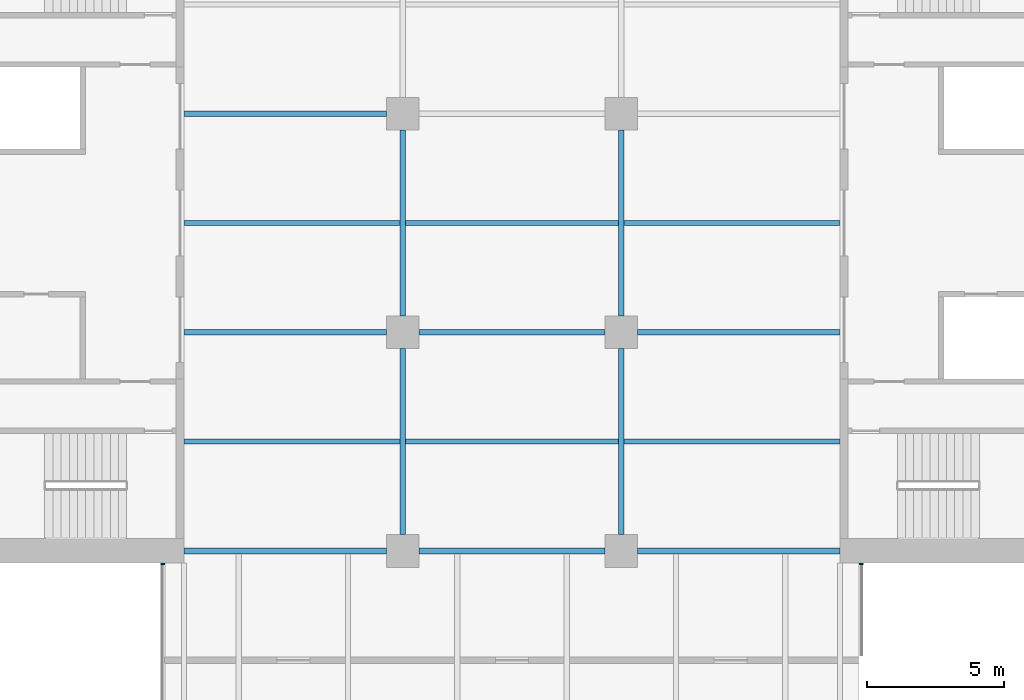
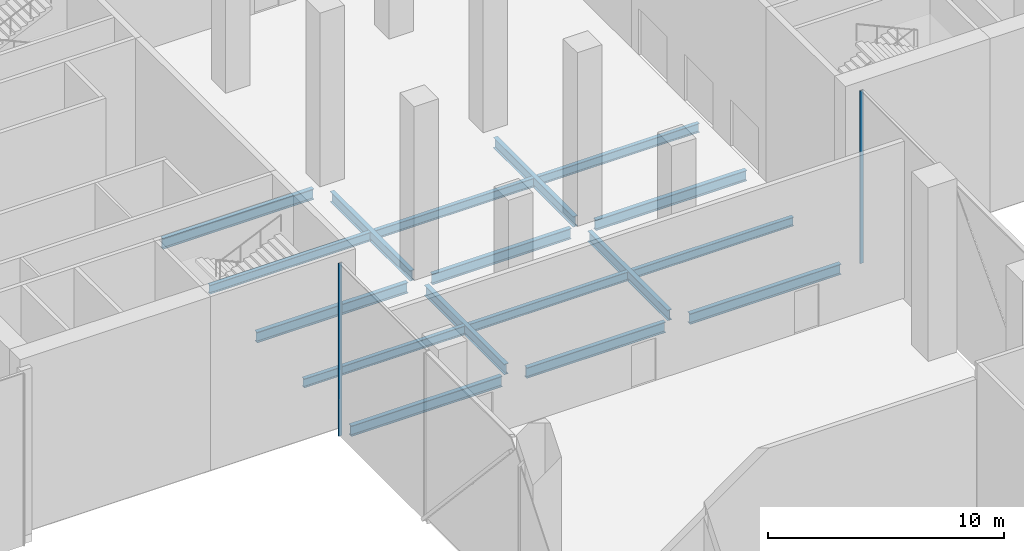
# One storey, part 5 of 26: 17 beams, 2 members, 2 elements without a shape of their own.
"""IFC4 building model written with IfcOpenShell, lengths in metres."""

from ifc_helpers import new_model, si_unit, direction, frame, origin, origin_2d, place, context, subcontext, project, spatial, rectangle, i_section, extrude, material, material_profile, profile_set, type_object, element, aggregate, save


model = new_model("IFC4")

# Units and contexts
model_context = context("Model", 3, precision=1e-05, world=origin(), true_north=direction((0.0, 1.0)))
body_context = subcontext(model_context, "Body", "Model", "MODEL_VIEW")
ifc_project = project(units=[si_unit("LENGTHUNIT", "METRE"), si_unit("AREAUNIT", "SQUARE_METRE"), si_unit("VOLUMEUNIT", "CUBIC_METRE"), si_unit("PLANEANGLEUNIT", "RADIAN"), si_unit("MASSUNIT", "GRAM", prefix="KILO")], contexts=[model_context])

# Site, building, storey
site_placement = place(None, origin())
site = spatial("IfcSite", under=ifc_project, at=site_placement, CompositionType="ELEMENT")
building_placement = place(site_placement, origin())
building = spatial("IfcBuilding", under=site, at=building_placement, Name="Crosswind Convention Tower", CompositionType="ELEMENT")
storey_placement = place(building_placement, frame((0.0, 0.0, 25.0)))
storey = spatial("IfcBuildingStorey", under=building, at=storey_placement, Name="L03", CompositionType="ELEMENT", Elevation=25.0)

# Beams
ifc_material_1 = material(Name="Steel S355", Category="steel")
ifc_material_profile_1 = material_profile(ifc_material_1, i_section(OverallWidth=0.2119140625, OverallDepth=0.544677734375, WebThickness=0.0126953125, FlangeThickness=0.021240234375, FilletRadius=0.0126953125, at=origin_2d()), Name="UB 533x210x122")
ifc_profile_set_1 = profile_set([ifc_material_profile_1], Name="Steel S355")
beam_type_1 = type_object("IfcBeamType", Name="Girder UB 533x210x122", PredefinedType="BEAM", material=ifc_profile_set_1)
for number, where, z_axis, x_axis, name in (
    (1, (121.0, 88.60009765625, -0.67236328125), (0.0, 1.0, 0.0), (-1.0, 0.0, 0.0), "B6 L03 girder 1"),
    (2, (121.0, 96.60009765625, -0.67236328125), (0.0, 1.0, 0.0), (-1.0, 0.0, 0.0), "B6 L03 girder 2"),
    (3, (121.60009765625, 88.0, -0.67236328125), (1.0, 0.0, 0.0), (0.0, 1.0, 0.0), "B6 L03 girder 4"),
    (4, (121.60009765625, 96.0, -0.67236328125), (1.0, 0.0, 0.0), (0.0, 1.0, 0.0), "B6 L03 girder 5"),
    (5, (129.0, 88.60009765625, -0.67236328125), (0.0, 1.0, 0.0), (-1.0, 0.0, 0.0), "B6 L03 girder 8"),
    (6, (129.0, 96.60009765625, -0.67236328125), (0.0, 1.0, 0.0), (-1.0, 0.0, 0.0), "B6 L03 girder 9"),
):
    element("IfcBeam", number, at=place(storey_placement, frame(where, z_axis=z_axis, x_axis=x_axis)), inside=storey, type_object=beam_type_1, Name=name, PredefinedType="BEAM", context=body_context, shape_type="SweptSolid", body=[
        extrude(i_section(OverallWidth=0.2119140625, OverallDepth=0.544677734375, WebThickness=0.0126953125, FlangeThickness=0.021240234375, FilletRadius=0.0126953125, at=origin_2d()), origin(), (0.0, 0.0, 1.0), 6.7998046875),
    ])
ifc_material_profile_2 = material_profile(ifc_material_1, i_section(OverallWidth=0.214111328125, OverallDepth=0.549072265625, WebThickness=0.0146484375, FlangeThickness=0.023681640625, FilletRadius=0.0126953125, at=origin_2d()), Name="UB 533x210x138")
ifc_profile_set_2 = profile_set([ifc_material_profile_2], Name="Steel S355")
beam_type_2 = type_object("IfcBeamType", Name="Girder at core wall UB 533x210x138", PredefinedType="BEAM", material=ifc_profile_set_2)
for number, where, z_axis, x_axis, name in (
    (7, (113.0, 88.0, -0.674560546875), (1.0, 0.0, 0.0), (0.0, 1.0, 0.0), "B27 L03 girder at core wall 1"),
    (8, (113.0, 96.0, -0.674560546875), (1.0, 0.0, 0.0), (0.0, 1.0, 0.0), "B27 L03 girder at core wall 2"),
    (9, (113.0, 104.0, -0.674560546875), (1.0, 0.0, 0.0), (0.0, 1.0, 0.0), "B27 L03 girder at core wall 3"),
    (10, (129.60009765625, 88.0, -0.674560546875), (1.0, 0.0, 0.0), (0.0, 1.0, 0.0), "B27 L03 girder at core wall 5"),
    (11, (129.60009765625, 96.0, -0.674560546875), (1.0, 0.0, 0.0), (0.0, 1.0, 0.0), "B27 L03 girder at core wall 6"),
):
    element("IfcBeam", number, at=place(storey_placement, frame(where, z_axis=z_axis, x_axis=x_axis)), inside=storey, type_object=beam_type_2, Name=name, PredefinedType="BEAM", context=body_context, shape_type="SweptSolid", body=[
        extrude(i_section(OverallWidth=0.214111328125, OverallDepth=0.549072265625, WebThickness=0.0146484375, FlangeThickness=0.023681640625, FilletRadius=0.0126953125, at=origin_2d()), origin(), (0.0, 0.0, 1.0), 7.39990234375),
    ])

# Curtain wall, member
ifc_material_2 = material(Name="Aluminium unitised curtain wall", Category="aluminium")
curtain_wall_type = type_object("IfcCurtainWallType", Name="CORE END SLOT WALL 160", PredefinedType="USERDEFINED", material=ifc_material_2)
curtain_wall_1_placement = place(storey_placement, origin())
curtain_wall_1 = element("IfcCurtainWall", 12, at=curtain_wall_1_placement, inside=storey, type_object=curtain_wall_type, Name="CW6 L03 S-W.1-1 slot", ObjectType="UNITISED", PredefinedType="USERDEFINED")
ifc_material_3 = material(Name="Aluminium mullion", Category="aluminium")
ifc_material_profile_3 = material_profile(ifc_material_3, rectangle(XDim=0.159912109375, YDim=0.050048828125, at=origin_2d()), Name="AL 160X50")
ifc_profile_set_3 = profile_set([ifc_material_profile_3], Name="Aluminium mullion")
member_type = type_object("IfcMemberType", Name="MULLION 50X160", PredefinedType="MULLION", material=ifc_profile_set_3)
member_1_placement = place(storey_placement, frame((112.219970703125, 87.52490234375, -0.39990234375), z_axis=(0.0, 0.0, 1.0), x_axis=(-1.0, 0.0, 0.0)))
member_1 = element("IfcMember", 13, at=member_1_placement, type_object=member_type, Name="CW6 mullion 1", PredefinedType="MULLION", context=body_context, shape_type="SweptSolid", body=[
    extrude(rectangle(XDim=0.159912109375, YDim=0.050048828125, at=origin_2d()), origin(), (0.0, 0.0, 1.0), 8.949951171875),
])
aggregate(curtain_wall_1, [member_1])

curtain_wall_2_placement = place(storey_placement, origin())
curtain_wall_2 = element("IfcCurtainWall", 14, at=curtain_wall_2_placement, inside=storey, type_object=curtain_wall_type, Name="CW6 L03 S-E.1-4 slot", ObjectType="UNITISED", PredefinedType="USERDEFINED")
member_2_placement = place(storey_placement, frame((137.780029296875, 87.52490234375, -0.39990234375), z_axis=(0.0, 0.0, 1.0), x_axis=(1.0, 0.0, 0.0)))
member_2 = element("IfcMember", 15, at=member_2_placement, type_object=member_type, Name="CW6 mullion 2", PredefinedType="MULLION", context=body_context, shape_type="SweptSolid", body=[
    extrude(rectangle(XDim=0.159912109375, YDim=0.050048828125, at=origin_2d()), origin(), (0.0, 0.0, 1.0), 8.949951171875),
])
aggregate(curtain_wall_2, [member_2])

# Beams
ifc_material_profile_4 = material_profile(ifc_material_1, i_section(OverallWidth=0.19140625, OverallDepth=0.460205078125, WebThickness=0.010009765625, FlangeThickness=0.01611328125, FilletRadius=0.01025390625, at=origin_2d()), Name="UB 457x191x82")
ifc_profile_set_4 = profile_set([ifc_material_profile_4], Name="Steel S355")
beam_type_3 = type_object("IfcBeamType", Name="Secondary beam UB 457x191x82", PredefinedType="JOIST", material=ifc_profile_set_4)
for number, where, z_axis, x_axis, name in (
    (16, (113.0, 92.0, -0.630126953125), (1.0, 0.0, 0.0), (0.0, 1.0, 0.0), "B13 L03 secondary beam 11"),
    (17, (113.0, 100.0, -0.630126953125), (1.0, 0.0, 0.0), (0.0, 1.0, 0.0), "B13 L03 secondary beam 12"),
):
    element("IfcBeam", number, at=place(storey_placement, frame(where, z_axis=z_axis, x_axis=x_axis)), inside=storey, type_object=beam_type_3, Name=name, PredefinedType="JOIST", context=body_context, shape_type="SweptSolid", body=[
        extrude(i_section(OverallWidth=0.19140625, OverallDepth=0.460205078125, WebThickness=0.010009765625, FlangeThickness=0.01611328125, FilletRadius=0.01025390625, at=origin_2d()), origin(), (0.0, 0.0, 1.0), 7.89404296875),
    ])
for number, where, z_axis, x_axis, name in (
    (18, (121.10595703125, 92.0, -0.630126953125), (1.0, 0.0, 0.0), (0.0, 1.0, 0.0), "B13 L03 secondary beam 28"),
    (19, (121.10595703125, 100.0, -0.630126953125), (1.0, 0.0, 0.0), (0.0, 1.0, 0.0), "B13 L03 secondary beam 29"),
):
    element("IfcBeam", number, at=place(storey_placement, frame(where, z_axis=z_axis, x_axis=x_axis)), inside=storey, type_object=beam_type_3, Name=name, PredefinedType="JOIST", context=body_context, shape_type="SweptSolid", body=[
        extrude(i_section(OverallWidth=0.19140625, OverallDepth=0.460205078125, WebThickness=0.010009765625, FlangeThickness=0.01611328125, FilletRadius=0.01025390625, at=origin_2d()), origin(), (0.0, 0.0, 1.0), 7.7880859375),
    ])
for number, where, z_axis, x_axis, name in (
    (20, (129.10595703125, 92.0, -0.630126953125), (1.0, 0.0, 0.0), (0.0, 1.0, 0.0), "B13 L03 secondary beam 47"),
    (21, (129.10595703125, 100.0, -0.630126953125), (1.0, 0.0, 0.0), (0.0, 1.0, 0.0), "B13 L03 secondary beam 48"),
):
    element("IfcBeam", number, at=place(storey_placement, frame(where, z_axis=z_axis, x_axis=x_axis)), inside=storey, type_object=beam_type_3, Name=name, PredefinedType="JOIST", context=body_context, shape_type="SweptSolid", body=[
        extrude(i_section(OverallWidth=0.19140625, OverallDepth=0.460205078125, WebThickness=0.010009765625, FlangeThickness=0.01611328125, FilletRadius=0.01025390625, at=origin_2d()), origin(), (0.0, 0.0, 1.0), 7.89404296875),
    ])

save(model, "model.ifc")
